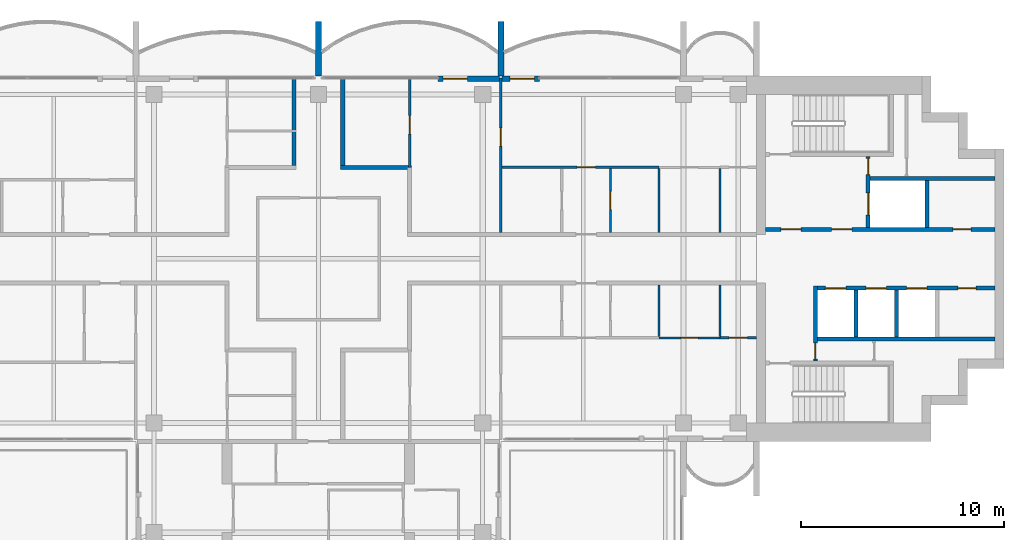
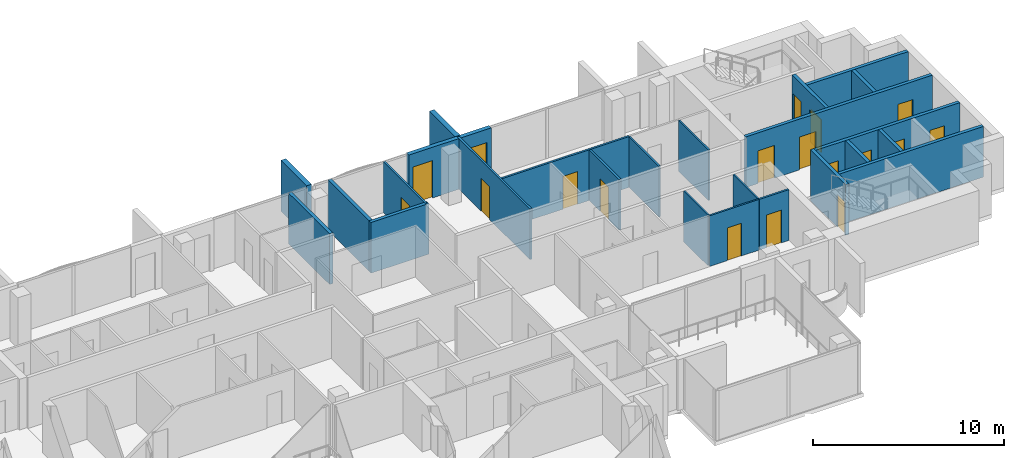
# One storey, part 11 of 16: 26 walls, 18 doors, 18 openings.
"""IFC4 building model written with IfcOpenShell, lengths in metres."""

from ifc_helpers import new_model, si_unit, direction, frame, frame_2d, origin, place, context, subcontext, project, spatial, rectangle, extrude, material, layer, layer_set, type_object, element, fill, save


model = new_model("IFC4")

# Units and contexts
model_context = context("Model", 3, precision=1e-05, world=origin(), true_north=direction((0.0, 1.0)))
body_context = subcontext(model_context, "Body", "Model", "MODEL_VIEW")
ifc_project = project(units=[si_unit("LENGTHUNIT", "METRE"), si_unit("AREAUNIT", "SQUARE_METRE"), si_unit("VOLUMEUNIT", "CUBIC_METRE"), si_unit("PLANEANGLEUNIT", "RADIAN"), si_unit("MASSUNIT", "GRAM", prefix="KILO")], contexts=[model_context])

# Site, building, storey
site_placement = place(None, origin())
site = spatial("IfcSite", under=ifc_project, at=site_placement, CompositionType="ELEMENT")
building_placement = place(site_placement, origin())
building = spatial("IfcBuilding", under=site, at=building_placement, Name="Perihelion Cross Residences", CompositionType="ELEMENT")
storey_placement = place(building_placement, frame((0.0, 0.0, 243.0)))
storey = spatial("IfcBuildingStorey", under=building, at=storey_placement, Name="L61", CompositionType="ELEMENT", Elevation=243.0)

# Walls
ifc_material_1 = material(Name="Plasterboard partition")
ifc_layer_1 = layer(ifc_material_1, 0.199951171875)
ifc_layer_set_1 = layer_set([ifc_layer_1], Name="Apartment separation wall 200")
wall_type_1 = type_object("IfcWallType", Name="Apartment separation wall 200", PredefinedType="PARTITIONING", material=ifc_layer_set_1)
wall_1_placement = place(storey_placement, frame((1.199951171875, 8.919921875, 0.0), z_axis=(0.0, 0.0, 1.0), x_axis=(0.0, -1.0, 0.0)))
element("IfcWall", 1, at=wall_1_placement, inside=storey, type_object=wall_type_1, Name="Partition L61 W007", PredefinedType="PARTITIONING", context=body_context, shape_type="SweptSolid", body=[
    extrude(rectangle(XDim=4.31982421875, YDim=0.199951171875, at=frame_2d((2.159912109375, 0.0))), origin(), (0.0, 0.0, 1.0), 3.25),
])
wall_2_placement = place(storey_placement, frame((1.10009765625, 4.5, 0.0), z_axis=(0.0, 0.0, 1.0), x_axis=(1.0, 0.0, 0.0)))
element("IfcWall", 2, at=wall_2_placement, inside=storey, type_object=wall_type_1, Name="Partition L61 W008", PredefinedType="PARTITIONING", context=body_context, shape_type="SweptSolid", body=[
    extrude(rectangle(XDim=3.5, YDim=0.199951171875, at=frame_2d((1.75, 0.0))), origin(), (0.0, 0.0, 1.0), 3.25),
])
wall_3_placement = place(storey_placement, frame((-1.199951171875, 4.60009765625, 0.0), z_axis=(0.0, 0.0, 1.0), x_axis=(0.0, 1.0, 0.0)))
element("IfcWall", 3, at=wall_3_placement, inside=storey, type_object=wall_type_1, Name="Partition L61 W016", PredefinedType="PARTITIONING", context=body_context, shape_type="SweptSolid", body=[
    extrude(rectangle(XDim=4.31982421875, YDim=0.199951171875, at=frame_2d((2.159912109375, 0.0))), origin(), (0.0, 0.0, 1.0), 3.25),
])

# Wall, opening, door
ifc_material_2 = material(Name="Concrete C30/37, bronze-clad", Category="concrete")
ifc_layer_2 = layer(ifc_material_2, 0.25)
ifc_layer_set_2 = layer_set([ifc_layer_2], Name="Bronze-clad pier wall 250")
wall_type_2 = type_object("IfcWallType", Name="Bronze-clad pier wall 250", PredefinedType="SOLIDWALL", material=ifc_layer_set_2)
wall_4_placement = place(storey_placement, frame((10.89990234375, 8.875, 0.0), z_axis=(0.0, 0.0, 1.0), x_axis=(-1.0, 0.0, 0.0)))
wall_4 = element("IfcWall", 4, at=wall_4_placement, inside=storey, type_object=wall_type_2, Name="Wall FW1 L61 east side north bay 2 pier", PredefinedType="SOLIDWALL", context=body_context, shape_type="SweptSolid", body=[
    extrude(rectangle(XDim=1.83984375, YDim=0.25, at=frame_2d((0.919921875, 0.0))), origin(), (0.0, 0.0, 1.0), 3.25),
])
opening_1_placement = place(wall_4_placement, frame((0.25, 0.0, 0.0)))
opening_1 = element("IfcOpeningElement", 5, at=opening_1_placement, cuts=wall_4, Name="Opening L61.E02", PredefinedType="OPENING", context=body_context, shape_type="SweptSolid", body=[
    extrude(rectangle(XDim=1.199951171875, YDim=2.39990234375, at=frame_2d((0.60009765625, 1.199951171875))), frame((0.0, 0.135009765625, 0.0), z_axis=(0.0, -1.0, 0.0), x_axis=(1.0, 0.0, 0.0)), (0.0, 0.0, 1.0), 0.27001953125),
])
ifc_material_3 = material(Name="Bronze anodised aluminium, glazed", Category="aluminium")
door_type_1 = type_object("IfcDoorType", Name="Balcony door 1200 x 2400", OperationType="NOTDEFINED", PredefinedType="DOOR", material=ifc_material_3)
door_1_placement = place(opening_1_placement, origin())
door_1 = element("IfcDoor", 6, at=door_1_placement, inside=storey, type_object=door_type_1, Name="Door L61.E02 east side north bay 2", OperationType="SINGLE_SWING_RIGHT", OverallHeight=2.39990234375, OverallWidth=1.199951171875, PredefinedType="DOOR", context=body_context, shape_type="SweptSolid", body=[
    extrude(rectangle(XDim=1.199951171875, YDim=2.39990234375, at=frame_2d((0.60009765625, 1.199951171875))), frame((0.0, 0.02490234375, 0.0), z_axis=(0.0, -1.0, 0.0), x_axis=(1.0, 0.0, 0.0)), (0.0, 0.0, 1.0), 0.050048828125),
])
fill(opening_1, door_1)

wall_5_placement = place(storey_placement, frame((8.93994140625, 8.875, 0.0), z_axis=(0.0, 0.0, 1.0), x_axis=(-1.0, 0.0, 0.0)))
wall_5 = element("IfcWall", 7, at=wall_5_placement, inside=storey, type_object=wall_type_2, Name="Wall FW1 L61 north side east bay 1 pier", PredefinedType="SOLIDWALL", context=body_context, shape_type="SweptSolid", body=[
    extrude(rectangle(XDim=3.0400390625, YDim=0.25, at=frame_2d((1.52001953125, 0.0))), origin(), (0.0, 0.0, 1.0), 3.25),
])
opening_2_placement = place(wall_5_placement, frame((1.590087890625, 0.0, 0.0)))
opening_2 = element("IfcOpeningElement", 8, at=opening_2_placement, cuts=wall_5, Name="Opening L61.E03", PredefinedType="OPENING", context=body_context, shape_type="SweptSolid", body=[
    extrude(rectangle(XDim=1.199951171875, YDim=2.39990234375, at=frame_2d((0.60009765625, 1.199951171875))), frame((0.0, 0.135009765625, 0.0), z_axis=(0.0, -1.0, 0.0), x_axis=(1.0, 0.0, 0.0)), (0.0, 0.0, 1.0), 0.27001953125),
])
door_2_placement = place(opening_2_placement, origin())
door_2 = element("IfcDoor", 9, at=door_2_placement, inside=storey, type_object=door_type_1, Name="Door L61.E03 north side east bay 1", OperationType="SINGLE_SWING_LEFT", OverallHeight=2.39990234375, OverallWidth=1.199951171875, PredefinedType="DOOR", context=body_context, shape_type="SweptSolid", body=[
    extrude(rectangle(XDim=1.199951171875, YDim=2.39990234375, at=frame_2d((0.60009765625, 1.199951171875))), frame((0.0, 0.02490234375, 0.0), z_axis=(0.0, -1.0, 0.0), x_axis=(1.0, 0.0, 0.0)), (0.0, 0.0, 1.0), 0.050048828125),
])
fill(opening_2, door_2)

ifc_material_4 = material(Name="Concrete C50/60", Category="concrete")
ifc_layer_3 = layer(ifc_material_4, 0.199951171875)
ifc_layer_set_3 = layer_set([ifc_layer_3], Name="Lobby wall 200")
wall_type_3 = type_object("IfcWallType", Name="Lobby wall 200", PredefinedType="SOLIDWALL", material=ifc_layer_set_3)
wall_6_placement = place(storey_placement, frame((24.5, -5.050048828125, 0.0), z_axis=(0.0, 0.0, 1.0), x_axis=(0.0, 1.0, 0.0)))
wall_6 = element("IfcWall", 10, at=wall_6_placement, inside=storey, type_object=wall_type_3, Name="East core lobby wall", PredefinedType="SOLIDWALL", context=body_context, shape_type="SweptSolid", body=[
    extrude(rectangle(XDim=3.699951171875, YDim=0.199951171875, at=frame_2d((1.85009765625, 0.0))), origin(), (0.0, 0.0, 1.0), 3.25),
])
opening_3_placement = place(wall_6_placement, frame((0.10009765625, 0.0, 0.0)))
opening_3 = element("IfcOpeningElement", 11, at=opening_3_placement, cuts=wall_6, Name="Opening L61.C08", PredefinedType="OPENING", context=body_context, shape_type="SweptSolid", body=[
    extrude(rectangle(XDim=0.800048828125, YDim=2.10009765625, at=frame_2d((0.39990234375, 1.050048828125))), frame((0.0, 0.10986328125, 0.0), z_axis=(0.0, -1.0, 0.0), x_axis=(1.0, 0.0, 0.0)), (0.0, 0.0, 1.0), 0.219970703125),
])
ifc_material_5 = material(Name="Steel, powder coated", Category="steel")
door_type_2 = type_object("IfcDoorType", Name="Riser door 800", OperationType="SINGLE_SWING_LEFT", PredefinedType="DOOR", material=ifc_material_5)
door_3_placement = place(opening_3_placement, origin())
door_3 = element("IfcDoor", 12, at=door_3_placement, inside=storey, type_object=door_type_2, Name="East core riser door", OperationType="SINGLE_SWING_LEFT", OverallHeight=2.10009765625, OverallWidth=0.800048828125, PredefinedType="DOOR", context=body_context, shape_type="SweptSolid", body=[
    extrude(rectangle(XDim=0.800048828125, YDim=2.10009765625, at=frame_2d((0.39990234375, 1.050048828125))), frame((0.0, 0.02490234375, 0.0), z_axis=(0.0, -1.0, 0.0), x_axis=(1.0, 0.0, 0.0)), (0.0, 0.0, 1.0), 0.050048828125),
])
fill(opening_3, door_3)

ifc_material_6 = material(Name="Plasterboard partition")
ifc_layer_4 = layer(ifc_material_6, 0.1201171875)
ifc_layer_set_4 = layer_set([ifc_layer_4], Name="Partition wall 120")
wall_type_4 = type_object("IfcWallType", Name="Partition wall 120", PredefinedType="PARTITIONING", material=ifc_layer_set_4)
wall_7_placement = place(storey_placement, frame((8.93994140625, 4.5, 0.0), z_axis=(0.0, 0.0, 1.0), x_axis=(1.0, 0.0, 0.0)))
wall_7 = element("IfcWall", 13, at=wall_7_placement, inside=storey, type_object=wall_type_4, Name="Partition L61 W023", PredefinedType="PARTITIONING", context=body_context, shape_type="SweptSolid", body=[
    extrude(rectangle(XDim=7.860107421875, YDim=0.1201171875, at=frame_2d((3.93017578125, 0.0))), origin(), (0.0, 0.0, 1.0), 3.25),
])
opening_4_placement = place(wall_7_placement, frame((3.81005859375, 0.0, 0.0)))
opening_4 = element("IfcOpeningElement", 14, at=opening_4_placement, cuts=wall_7, Name="Opening L61.A06", PredefinedType="OPENING", context=body_context, shape_type="SweptSolid", body=[
    extrude(rectangle(XDim=0.89990234375, YDim=2.10009765625, at=frame_2d((0.449951171875, 1.050048828125))), frame((0.0, 0.070068359375, 0.0), z_axis=(0.0, -1.0, 0.0), x_axis=(1.0, 0.0, 0.0)), (0.0, 0.0, 1.0), 0.14013671875),
])
ifc_material_7 = material(Name="Timber door leaf", Category="wood")
door_type_3 = type_object("IfcDoorType", Name="Interior room door 900 x 2100", OperationType="SINGLE_SWING_LEFT", PredefinedType="DOOR", material=ifc_material_7)
door_4_placement = place(opening_4_placement, origin())
door_4 = element("IfcDoor", 15, at=door_4_placement, inside=storey, type_object=door_type_3, Name="Door L61.A06", OperationType="SINGLE_SWING_RIGHT", OverallHeight=2.10009765625, OverallWidth=0.89990234375, PredefinedType="DOOR", context=body_context, shape_type="SweptSolid", body=[
    extrude(rectangle(XDim=0.89990234375, YDim=2.10009765625, at=frame_2d((0.449951171875, 1.050048828125))), frame((0.0, 0.02490234375, 0.0), z_axis=(0.0, -1.0, 0.0), x_axis=(1.0, 0.0, 0.0)), (0.0, 0.0, 1.0), 0.050048828125),
])
fill(opening_4, door_4)

wall_8_placement = place(storey_placement, frame((9.0, 1.300048828125, 0.0), z_axis=(0.0, 0.0, 1.0), x_axis=(0.0, 1.0, 0.0)))
wall_8 = element("IfcWall", 16, at=wall_8_placement, inside=storey, type_object=wall_type_4, Name="Partition L61 W024", PredefinedType="PARTITIONING", context=body_context, shape_type="SweptSolid", body=[
    extrude(rectangle(XDim=7.619873046875, YDim=0.1201171875, at=frame_2d((3.81005859375, 0.0))), origin(), (0.0, 0.0, 1.0), 3.25),
])
opening_5_placement = place(wall_8_placement, frame((4.25, 0.0, 0.0)))
opening_5 = element("IfcOpeningElement", 17, at=opening_5_placement, cuts=wall_8, Name="Opening L61.A07", PredefinedType="OPENING", context=body_context, shape_type="SweptSolid", body=[
    extrude(rectangle(XDim=0.89990234375, YDim=2.10009765625, at=frame_2d((0.449951171875, 1.050048828125))), frame((0.0, 0.070068359375, 0.0), z_axis=(0.0, -1.0, 0.0), x_axis=(1.0, 0.0, 0.0)), (0.0, 0.0, 1.0), 0.14013671875),
])
door_5_placement = place(opening_5_placement, origin())
door_5 = element("IfcDoor", 18, at=door_5_placement, inside=storey, type_object=door_type_3, Name="Door L61.A07", OperationType="SINGLE_SWING_LEFT", OverallHeight=2.10009765625, OverallWidth=0.89990234375, PredefinedType="DOOR", context=body_context, shape_type="SweptSolid", body=[
    extrude(rectangle(XDim=0.89990234375, YDim=2.10009765625, at=frame_2d((0.449951171875, 1.050048828125))), frame((0.0, 0.02490234375, 0.0), z_axis=(0.0, -1.0, 0.0), x_axis=(1.0, 0.0, 0.0)), (0.0, 0.0, 1.0), 0.050048828125),
])
fill(opening_5, door_5)

wall_9_placement = place(storey_placement, frame((14.39990234375, 4.43994140625, 0.0), z_axis=(0.0, 0.0, 1.0), x_axis=(0.0, -1.0, 0.0)))
wall_9 = element("IfcWall", 19, at=wall_9_placement, inside=storey, type_object=wall_type_4, Name="Partition L61 W025", PredefinedType="PARTITIONING", context=body_context, shape_type="SweptSolid", body=[
    extrude(rectangle(XDim=3.139892578125, YDim=0.1201171875, at=frame_2d((1.56982421875, 0.0))), origin(), (0.0, 0.0, 1.0), 3.25),
])
opening_6_placement = place(wall_9_placement, frame((1.1201171875, 0.0, 0.0)))
opening_6 = element("IfcOpeningElement", 20, at=opening_6_placement, cuts=wall_9, Name="Opening L61.A08", PredefinedType="OPENING", context=body_context, shape_type="SweptSolid", body=[
    extrude(rectangle(XDim=0.89990234375, YDim=2.10009765625, at=frame_2d((0.449951171875, 1.050048828125))), frame((0.0, 0.070068359375, 0.0), z_axis=(0.0, -1.0, 0.0), x_axis=(1.0, 0.0, 0.0)), (0.0, 0.0, 1.0), 0.14013671875),
])
door_6_placement = place(opening_6_placement, origin())
door_6 = element("IfcDoor", 21, at=door_6_placement, inside=storey, type_object=door_type_3, Name="Door L61.A08", OperationType="SINGLE_SWING_LEFT", OverallHeight=2.10009765625, OverallWidth=0.89990234375, PredefinedType="DOOR", context=body_context, shape_type="SweptSolid", body=[
    extrude(rectangle(XDim=0.89990234375, YDim=2.10009765625, at=frame_2d((0.449951171875, 1.050048828125))), frame((0.0, 0.02490234375, 0.0), z_axis=(0.0, -1.0, 0.0), x_axis=(1.0, 0.0, 0.0)), (0.0, 0.0, 1.0), 0.050048828125),
])
fill(opening_6, door_6)

wall_10_placement = place(storey_placement, frame((4.5, 4.5, 0.0), z_axis=(0.0, 0.0, 1.0), x_axis=(0.0, 1.0, 0.0)))
wall_10 = element("IfcWall", 22, at=wall_10_placement, inside=storey, type_object=wall_type_4, Name="Partition L61 W030", PredefinedType="PARTITIONING", context=body_context, shape_type="SweptSolid", body=[
    extrude(rectangle(XDim=4.419921875, YDim=0.1201171875, at=frame_2d((2.2099609375, 0.0))), origin(), (0.0, 0.0, 1.0), 3.25),
])
opening_7_placement = place(wall_10_placement, frame((1.64990234375, 0.0, 0.0)))
opening_7 = element("IfcOpeningElement", 23, at=opening_7_placement, cuts=wall_10, Name="Opening L61.A03", PredefinedType="OPENING", context=body_context, shape_type="SweptSolid", body=[
    extrude(rectangle(XDim=0.89990234375, YDim=2.10009765625, at=frame_2d((0.449951171875, 1.050048828125))), frame((0.0, 0.070068359375, 0.0), z_axis=(0.0, -1.0, 0.0), x_axis=(1.0, 0.0, 0.0)), (0.0, 0.0, 1.0), 0.14013671875),
])
door_7_placement = place(opening_7_placement, origin())
door_7 = element("IfcDoor", 24, at=door_7_placement, inside=storey, type_object=door_type_3, Name="Door L61.A03", OperationType="SINGLE_SWING_LEFT", OverallHeight=2.10009765625, OverallWidth=0.89990234375, PredefinedType="DOOR", context=body_context, shape_type="SweptSolid", body=[
    extrude(rectangle(XDim=0.89990234375, YDim=2.10009765625, at=frame_2d((0.449951171875, 1.050048828125))), frame((0.0, 0.02490234375, 0.0), z_axis=(0.0, -1.0, 0.0), x_axis=(1.0, 0.0, 0.0)), (0.0, 0.0, 1.0), 0.050048828125),
])
fill(opening_7, door_7)

wall_11_placement = place(storey_placement, frame((21.60009765625, -3.89990234375, 0.0), z_axis=(0.0, 0.0, 1.0), x_axis=(-1.0, 0.0, 0.0)))
wall_11 = element("IfcWall", 25, at=wall_11_placement, inside=storey, type_object=wall_type_4, Name="Partition L61 W038", PredefinedType="PARTITIONING", context=body_context, shape_type="SweptSolid", body=[
    extrude(rectangle(XDim=1.800048828125, YDim=0.1201171875, at=frame_2d((0.89990234375, 0.0))), origin(), (0.0, 0.0, 1.0), 3.25),
])
opening_8_placement = place(wall_11_placement, frame((0.449951171875, 0.0, 0.0)))
opening_8 = element("IfcOpeningElement", 26, at=opening_8_placement, cuts=wall_11, Name="Opening L61.A12", PredefinedType="OPENING", context=body_context, shape_type="SweptSolid", body=[
    extrude(rectangle(XDim=0.89990234375, YDim=2.10009765625, at=frame_2d((0.449951171875, 1.050048828125))), frame((0.0, 0.070068359375, 0.0), z_axis=(0.0, -1.0, 0.0), x_axis=(1.0, 0.0, 0.0)), (0.0, 0.0, 1.0), 0.14013671875),
])
door_8_placement = place(opening_8_placement, origin())
door_8 = element("IfcDoor", 27, at=door_8_placement, inside=storey, type_object=door_type_3, Name="Door L61.A12", OperationType="SINGLE_SWING_LEFT", OverallHeight=2.10009765625, OverallWidth=0.89990234375, PredefinedType="DOOR", context=body_context, shape_type="SweptSolid", body=[
    extrude(rectangle(XDim=0.89990234375, YDim=2.10009765625, at=frame_2d((0.449951171875, 1.050048828125))), frame((0.0, 0.02490234375, 0.0), z_axis=(0.0, -1.0, 0.0), x_axis=(1.0, 0.0, 0.0)), (0.0, 0.0, 1.0), 0.050048828125),
])
fill(opening_8, door_8)

# Walls
ifc_material_8 = material(Name="Precast concrete C50/60", Category="concrete")
ifc_layer_5 = layer(ifc_material_8, 0.300048828125)
ifc_layer_set_5 = layer_set([ifc_layer_5], Name="Precast concrete C50/60 blade wall 300")
wall_type_5 = type_object("IfcWallType", Name="Precast concrete C50/60 blade wall 300", PredefinedType="SOLIDWALL", material=ifc_layer_set_5)
for number, where, z_axis, x_axis, name in (
    (28, (0.0, 9.0, 0.0), (0.0, 0.0, 1.0), (0.0, 1.0, 0.0), "Wall BL1 L61 no. 9"),
    (29, (9.0, 9.0, 0.0), (0.0, 0.0, 1.0), (0.0, 1.0, 0.0), "Wall BL1 L61 no. 16"),
):
    element("IfcWall", number, at=place(storey_placement, frame(where, z_axis=z_axis, x_axis=x_axis)), inside=storey, type_object=wall_type_5, Name=name, PredefinedType="SOLIDWALL", context=body_context, shape_type="SweptSolid", body=[
        extrude(rectangle(XDim=2.699951171875, YDim=0.300048828125, at=frame_2d((1.35009765625, 0.0))), origin(), (0.0, 0.0, 1.0), 3.25),
    ])

# Wall, openings, doors
ifc_material_9 = material(Name="Concrete C50/60", Category="concrete")
ifc_layer_6 = layer(ifc_material_9, 0.199951171875)
ifc_layer_set_6 = layer_set([ifc_layer_6], Name="Shaft wall 200")
wall_type_6 = type_object("IfcWallType", Name="Shaft wall 200", PredefinedType="SOLIDWALL", material=ifc_layer_set_6)
wall_12_placement = place(storey_placement, frame((22.050048828125, 1.449951171875, 0.0), z_axis=(0.0, 0.0, 1.0), x_axis=(1.0, 0.0, 0.0)))
wall_12 = element("IfcWall", 30, at=wall_12_placement, inside=storey, type_object=wall_type_6, Name="East core shaft wall", PredefinedType="SOLIDWALL", context=body_context, shape_type="SweptSolid", body=[
    extrude(rectangle(XDim=11.300048828125, YDim=0.199951171875, at=frame_2d((5.64990234375, 0.0))), origin(), (0.0, 0.0, 1.0), 3.25),
])
opening_9_placement = place(wall_12_placement, frame((0.75, 0.0, 0.0)))
opening_9 = element("IfcOpeningElement", 31, at=opening_9_placement, cuts=wall_12, Name="Opening L61.C07", PredefinedType="OPENING", context=body_context, shape_type="SweptSolid", body=[
    extrude(rectangle(XDim=1.0, YDim=2.10009765625, at=frame_2d((0.5, 1.050048828125))), frame((0.0, 0.10986328125, 0.0), z_axis=(0.0, -1.0, 0.0), x_axis=(1.0, 0.0, 0.0)), (0.0, 0.0, 1.0), 0.219970703125),
])
opening_10_placement = place(wall_12_placement, frame((3.25, 0.0, 0.0)))
opening_10 = element("IfcOpeningElement", 32, at=opening_10_placement, cuts=wall_12, Name="Opening L61.C09", PredefinedType="OPENING", context=body_context, shape_type="SweptSolid", body=[
    extrude(rectangle(XDim=1.0, YDim=2.10009765625, at=frame_2d((0.5, 1.050048828125))), frame((0.0, 0.10986328125, 0.0), z_axis=(0.0, -1.0, 0.0), x_axis=(1.0, 0.0, 0.0)), (0.0, 0.0, 1.0), 0.219970703125),
])
opening_11_placement = place(wall_12_placement, frame((9.22509765625, 0.0, 0.0)))
opening_11 = element("IfcOpeningElement", 33, at=opening_11_placement, cuts=wall_12, Name="Opening L61.C13", PredefinedType="OPENING", context=body_context, shape_type="SweptSolid", body=[
    extrude(rectangle(XDim=0.89990234375, YDim=2.10009765625, at=frame_2d((0.449951171875, 1.050048828125))), frame((0.0, 0.10986328125, 0.0), z_axis=(0.0, -1.0, 0.0), x_axis=(1.0, 0.0, 0.0)), (0.0, 0.0, 1.0), 0.219970703125),
])
ifc_material_10 = material(Name="Steel, powder coated", Category="steel")
door_type_4 = type_object("IfcDoorType", Name="Lobby door 1000", OperationType="SINGLE_SWING_LEFT", PredefinedType="DOOR", material=ifc_material_10)
door_9_placement = place(opening_9_placement, origin())
door_9 = element("IfcDoor", 34, at=door_9_placement, inside=storey, type_object=door_type_4, Name="East core firefighting lobby door", OperationType="SINGLE_SWING_LEFT", OverallHeight=2.10009765625, OverallWidth=1.0, PredefinedType="DOOR", context=body_context, shape_type="SweptSolid", body=[
    extrude(rectangle(XDim=1.0, YDim=2.10009765625, at=frame_2d((0.5, 1.050048828125))), frame((0.0, 0.02490234375, 0.0), z_axis=(0.0, -1.0, 0.0), x_axis=(1.0, 0.0, 0.0)), (0.0, 0.0, 1.0), 0.050048828125),
])
fill(opening_9, door_9)
door_10_placement = place(opening_10_placement, origin())
door_10 = element("IfcDoor", 35, at=door_10_placement, inside=storey, type_object=door_type_4, Name="East core firefighting lobby door", OperationType="SINGLE_SWING_LEFT", OverallHeight=2.10009765625, OverallWidth=1.0, PredefinedType="DOOR", context=body_context, shape_type="SweptSolid", body=[
    extrude(rectangle(XDim=1.0, YDim=2.10009765625, at=frame_2d((0.5, 1.050048828125))), frame((0.0, 0.02490234375, 0.0), z_axis=(0.0, -1.0, 0.0), x_axis=(1.0, 0.0, 0.0)), (0.0, 0.0, 1.0), 0.050048828125),
])
fill(opening_10, door_10)
ifc_material_11 = material(Name="Steel, powder coated", Category="steel")
door_type_5 = type_object("IfcDoorType", Name="Service room door 900", OperationType="SINGLE_SWING_LEFT", PredefinedType="DOOR", material=ifc_material_11)
door_11_placement = place(opening_11_placement, origin())
door_11 = element("IfcDoor", 36, at=door_11_placement, inside=storey, type_object=door_type_5, Name="East core service room door", OperationType="SINGLE_SWING_LEFT", OverallHeight=2.10009765625, OverallWidth=0.89990234375, PredefinedType="DOOR", context=body_context, shape_type="SweptSolid", body=[
    extrude(rectangle(XDim=0.89990234375, YDim=2.10009765625, at=frame_2d((0.449951171875, 1.050048828125))), frame((0.0, 0.02490234375, 0.0), z_axis=(0.0, -1.0, 0.0), x_axis=(1.0, 0.0, 0.0)), (0.0, 0.0, 1.0), 0.050048828125),
])
fill(opening_11, door_11)

wall_13_placement = place(storey_placement, frame((24.60009765625, -1.449951171875, 0.0), z_axis=(0.0, 0.0, 1.0), x_axis=(1.0, 0.0, 0.0)))
wall_13 = element("IfcWall", 37, at=wall_13_placement, inside=storey, type_object=wall_type_6, Name="East core shaft wall", PredefinedType="SOLIDWALL", context=body_context, shape_type="SweptSolid", body=[
    extrude(rectangle(XDim=8.75, YDim=0.199951171875, at=frame_2d((4.375, 0.0))), origin(), (0.0, 0.0, 1.0), 3.25),
])
opening_12_placement = place(wall_13_placement, frame((0.39990234375, 0.0, 0.0)))
opening_12 = element("IfcOpeningElement", 38, at=opening_12_placement, cuts=wall_13, Name="Opening L61.C01", PredefinedType="OPENING", context=body_context, shape_type="SweptSolid", body=[
    extrude(rectangle(XDim=1.0, YDim=2.10009765625, at=frame_2d((0.5, 1.050048828125))), frame((0.0, 0.10986328125, 0.0), z_axis=(0.0, -1.0, 0.0), x_axis=(1.0, 0.0, 0.0)), (0.0, 0.0, 1.0), 0.219970703125),
])
opening_13_placement = place(wall_13_placement, frame((2.39990234375, 0.0, 0.0)))
opening_13 = element("IfcOpeningElement", 39, at=opening_13_placement, cuts=wall_13, Name="Opening L61.C03", PredefinedType="OPENING", context=body_context, shape_type="SweptSolid", body=[
    extrude(rectangle(XDim=1.0, YDim=2.10009765625, at=frame_2d((0.5, 1.050048828125))), frame((0.0, 0.10986328125, 0.0), z_axis=(0.0, -1.0, 0.0), x_axis=(1.0, 0.0, 0.0)), (0.0, 0.0, 1.0), 0.219970703125),
])
opening_14_placement = place(wall_13_placement, frame((4.39990234375, 0.0, 0.0)))
opening_14 = element("IfcOpeningElement", 40, at=opening_14_placement, cuts=wall_13, Name="Opening L61.C04", PredefinedType="OPENING", context=body_context, shape_type="SweptSolid", body=[
    extrude(rectangle(XDim=1.0, YDim=2.10009765625, at=frame_2d((0.5, 1.050048828125))), frame((0.0, 0.10986328125, 0.0), z_axis=(0.0, -1.0, 0.0), x_axis=(1.0, 0.0, 0.0)), (0.0, 0.0, 1.0), 0.219970703125),
])
opening_15_placement = place(wall_13_placement, frame((6.925048828125, 0.0, 0.0)))
opening_15 = element("IfcOpeningElement", 41, at=opening_15_placement, cuts=wall_13, Name="Opening L61.C14", PredefinedType="OPENING", context=body_context, shape_type="SweptSolid", body=[
    extrude(rectangle(XDim=0.89990234375, YDim=2.10009765625, at=frame_2d((0.449951171875, 1.050048828125))), frame((0.0, 0.10986328125, 0.0), z_axis=(0.0, -1.0, 0.0), x_axis=(1.0, 0.0, 0.0)), (0.0, 0.0, 1.0), 0.219970703125),
])
ifc_material_12 = material(Name="Stainless steel", Category="steel")
door_type_6 = type_object("IfcDoorType", Name="Landing door 1000", OperationType="DOUBLE_DOOR_SLIDING", PredefinedType="DOOR", material=ifc_material_12)
door_12_placement = place(opening_12_placement, origin())
door_12 = element("IfcDoor", 42, at=door_12_placement, inside=storey, type_object=door_type_6, Name="Landing door, East core high-rise lift 1", OperationType="DOUBLE_DOOR_SLIDING", OverallHeight=2.10009765625, OverallWidth=1.0, PredefinedType="DOOR", context=body_context, shape_type="SweptSolid", body=[
    extrude(rectangle(XDim=1.0, YDim=2.10009765625, at=frame_2d((0.5, 1.050048828125))), frame((0.0, 0.02490234375, 0.0), z_axis=(0.0, -1.0, 0.0), x_axis=(1.0, 0.0, 0.0)), (0.0, 0.0, 1.0), 0.050048828125),
])
fill(opening_12, door_12)
door_13_placement = place(opening_13_placement, origin())
door_13 = element("IfcDoor", 43, at=door_13_placement, inside=storey, type_object=door_type_6, Name="Landing door, East core high-rise lift 2", OperationType="DOUBLE_DOOR_SLIDING", OverallHeight=2.10009765625, OverallWidth=1.0, PredefinedType="DOOR", context=body_context, shape_type="SweptSolid", body=[
    extrude(rectangle(XDim=1.0, YDim=2.10009765625, at=frame_2d((0.5, 1.050048828125))), frame((0.0, 0.02490234375, 0.0), z_axis=(0.0, -1.0, 0.0), x_axis=(1.0, 0.0, 0.0)), (0.0, 0.0, 1.0), 0.050048828125),
])
fill(opening_13, door_13)
door_14_placement = place(opening_14_placement, origin())
door_14 = element("IfcDoor", 44, at=door_14_placement, inside=storey, type_object=door_type_6, Name="Landing door, East core high-rise lift 3", OperationType="DOUBLE_DOOR_SLIDING", OverallHeight=2.10009765625, OverallWidth=1.0, PredefinedType="DOOR", context=body_context, shape_type="SweptSolid", body=[
    extrude(rectangle(XDim=1.0, YDim=2.10009765625, at=frame_2d((0.5, 1.050048828125))), frame((0.0, 0.02490234375, 0.0), z_axis=(0.0, -1.0, 0.0), x_axis=(1.0, 0.0, 0.0)), (0.0, 0.0, 1.0), 0.050048828125),
])
fill(opening_14, door_14)
door_15_placement = place(opening_15_placement, origin())
door_15 = element("IfcDoor", 45, at=door_15_placement, inside=storey, type_object=door_type_5, Name="East core service room door", OperationType="SINGLE_SWING_LEFT", OverallHeight=2.10009765625, OverallWidth=0.89990234375, PredefinedType="DOOR", context=body_context, shape_type="SweptSolid", body=[
    extrude(rectangle(XDim=0.89990234375, YDim=2.10009765625, at=frame_2d((0.449951171875, 1.050048828125))), frame((0.0, 0.02490234375, 0.0), z_axis=(0.0, -1.0, 0.0), x_axis=(1.0, 0.0, 0.0)), (0.0, 0.0, 1.0), 0.050048828125),
])
fill(opening_15, door_15)

# Walls
wall_14_placement = place(storey_placement, frame((27.199951171875, 3.949951171875, 0.0), z_axis=(0.0, 0.0, 1.0), x_axis=(1.0, 0.0, 0.0)))
element("IfcWall", 46, at=wall_14_placement, inside=storey, type_object=wall_type_6, Name="East core shaft wall", PredefinedType="SOLIDWALL", context=body_context, shape_type="SweptSolid", body=[
    extrude(rectangle(XDim=6.150146484375, YDim=0.199951171875, at=frame_2d((3.0751953125, 0.0))), origin(), (0.0, 0.0, 1.0), 3.25),
])
wall_15_placement = place(storey_placement, frame((24.60009765625, -3.949951171875, 0.0), z_axis=(0.0, 0.0, 1.0), x_axis=(1.0, 0.0, 0.0)))
element("IfcWall", 47, at=wall_15_placement, inside=storey, type_object=wall_type_6, Name="East core shaft wall", PredefinedType="SOLIDWALL", context=body_context, shape_type="SweptSolid", body=[
    extrude(rectangle(XDim=8.75, YDim=0.199951171875, at=frame_2d((4.375, 0.0))), origin(), (0.0, 0.0, 1.0), 3.25),
])

# Wall, openings, doors
wall_16_placement = place(storey_placement, frame((27.10009765625, 1.550048828125, 0.0), z_axis=(0.0, 0.0, 1.0), x_axis=(0.0, 1.0, 0.0)))
wall_16 = element("IfcWall", 48, at=wall_16_placement, inside=storey, type_object=wall_type_6, Name="East core shaft wall", PredefinedType="SOLIDWALL", context=body_context, shape_type="SweptSolid", body=[
    extrude(rectangle(XDim=3.5, YDim=0.199951171875, at=frame_2d((1.75, 0.0))), origin(), (0.0, 0.0, 1.0), 3.25),
])
opening_16_placement = place(wall_16_placement, frame((0.60009765625, 0.0, 0.0)))
opening_16 = element("IfcOpeningElement", 49, at=opening_16_placement, cuts=wall_16, Name="Opening L61.C02", PredefinedType="OPENING", context=body_context, shape_type="SweptSolid", body=[
    extrude(rectangle(XDim=1.10009765625, YDim=2.10009765625, at=frame_2d((0.550048828125, 1.050048828125))), frame((0.0, 0.10986328125, 0.0), z_axis=(0.0, -1.0, 0.0), x_axis=(1.0, 0.0, 0.0)), (0.0, 0.0, 1.0), 0.219970703125),
])
opening_17_placement = place(wall_16_placement, frame((2.60009765625, 0.0, 0.0)))
opening_17 = element("IfcOpeningElement", 50, at=opening_17_placement, cuts=wall_16, Name="Opening L61.C10", PredefinedType="OPENING", context=body_context, shape_type="SweptSolid", body=[
    extrude(rectangle(XDim=0.800048828125, YDim=2.10009765625, at=frame_2d((0.39990234375, 1.050048828125))), frame((0.0, 0.10986328125, 0.0), z_axis=(0.0, -1.0, 0.0), x_axis=(1.0, 0.0, 0.0)), (0.0, 0.0, 1.0), 0.219970703125),
])
ifc_material_13 = material(Name="Stainless steel", Category="steel")
door_type_7 = type_object("IfcDoorType", Name="Landing door, firefighting lift 1100", OperationType="DOUBLE_DOOR_SLIDING", PredefinedType="DOOR", material=ifc_material_13)
door_16_placement = place(opening_16_placement, origin())
door_16 = element("IfcDoor", 51, at=door_16_placement, inside=storey, type_object=door_type_7, Name="Landing door, East core firefighting and service lift", OperationType="DOUBLE_DOOR_SLIDING", OverallHeight=2.10009765625, OverallWidth=1.10009765625, PredefinedType="DOOR", context=body_context, shape_type="SweptSolid", body=[
    extrude(rectangle(XDim=1.10009765625, YDim=2.10009765625, at=frame_2d((0.550048828125, 1.050048828125))), frame((0.0, 0.02490234375, 0.0), z_axis=(0.0, -1.0, 0.0), x_axis=(1.0, 0.0, 0.0)), (0.0, 0.0, 1.0), 0.050048828125),
])
fill(opening_16, door_16)
door_17_placement = place(opening_17_placement, origin())
door_17 = element("IfcDoor", 52, at=door_17_placement, inside=storey, type_object=door_type_2, Name="East core riser door", OperationType="SINGLE_SWING_LEFT", OverallHeight=2.10009765625, OverallWidth=0.800048828125, PredefinedType="DOOR", context=body_context, shape_type="SweptSolid", body=[
    extrude(rectangle(XDim=0.800048828125, YDim=2.10009765625, at=frame_2d((0.39990234375, 1.050048828125))), frame((0.0, 0.02490234375, 0.0), z_axis=(0.0, -1.0, 0.0), x_axis=(1.0, 0.0, 0.0)), (0.0, 0.0, 1.0), 0.050048828125),
])
fill(opening_17, door_17)

# Walls
for number, where, z_axis, x_axis, name in (
    (53, (30.0, 1.550048828125, 0.0), (0.0, 0.0, 1.0), (0.0, 1.0, 0.0), "East core shaft wall"),
    (54, (26.5, -3.85009765625, 0.0), (0.0, 0.0, 1.0), (0.0, 1.0, 0.0), "East core shaft wall"),
    (55, (28.5, -3.85009765625, 0.0), (0.0, 0.0, 1.0), (0.0, 1.0, 0.0), "East core shaft wall"),
):
    element("IfcWall", number, at=place(storey_placement, frame(where, z_axis=z_axis, x_axis=x_axis)), inside=storey, type_object=wall_type_6, Name=name, PredefinedType="SOLIDWALL", context=body_context, shape_type="SweptSolid", body=[
        extrude(rectangle(XDim=2.300048828125, YDim=0.199951171875, at=frame_2d((1.14990234375, 0.0))), origin(), (0.0, 0.0, 1.0), 3.25),
    ])
ifc_material_14 = material(Name="Plasterboard partition")
ifc_layer_7 = layer(ifc_material_14, 0.10009765625)
ifc_layer_set_7 = layer_set([ifc_layer_7], Name="Wet room wall 100")
wall_type_7 = type_object("IfcWallType", Name="Wet room wall 100", PredefinedType="PARTITIONING", material=ifc_layer_set_7)
for number, where, z_axis, x_axis, name in (
    (56, (16.800048828125, 4.43994140625, 0.0), (0.0, 0.0, 1.0), (0.0, -1.0, 0.0), "Partition L61 W026"),
    (57, (19.800048828125, 4.43994140625, 0.0), (0.0, 0.0, 1.0), (0.0, -1.0, 0.0), "Partition L61 W027"),
):
    element("IfcWall", number, at=place(storey_placement, frame(where, z_axis=z_axis, x_axis=x_axis)), inside=storey, type_object=wall_type_7, Name=name, PredefinedType="PARTITIONING", context=body_context, shape_type="SweptSolid", body=[
        extrude(rectangle(XDim=3.139892578125, YDim=0.10009765625, at=frame_2d((1.56982421875, 0.0))), origin(), (0.0, 0.0, 1.0), 3.25),
    ])
for number, where, z_axis, x_axis, name in (
    (58, (16.800048828125, -1.300048828125, 0.0), (0.0, 0.0, 1.0), (0.0, -1.0, 0.0), "Partition L61 W035"),
    (59, (19.800048828125, -1.300048828125, 0.0), (0.0, 0.0, 1.0), (0.0, -1.0, 0.0), "Partition L61 W036"),
):
    element("IfcWall", number, at=place(storey_placement, frame(where, z_axis=z_axis, x_axis=x_axis)), inside=storey, type_object=wall_type_7, Name=name, PredefinedType="PARTITIONING", context=body_context, shape_type="SweptSolid", body=[
        extrude(rectangle(XDim=2.5400390625, YDim=0.10009765625, at=frame_2d((1.27001953125, 0.0))), origin(), (0.0, 0.0, 1.0), 3.25),
    ])

# Wall, opening, door
wall_17_placement = place(storey_placement, frame((19.800048828125, -3.89990234375, 0.0), z_axis=(0.0, 0.0, 1.0), x_axis=(-1.0, 0.0, 0.0)))
wall_17 = element("IfcWall", 60, at=wall_17_placement, inside=storey, type_object=wall_type_7, Name="Partition L61 W037", PredefinedType="PARTITIONING", context=body_context, shape_type="SweptSolid", body=[
    extrude(rectangle(XDim=3.0, YDim=0.10009765625, at=frame_2d((1.5, 0.0))), origin(), (0.0, 0.0, 1.0), 3.25),
])
opening_18_placement = place(wall_17_placement, frame((1.074951171875, 0.0, 0.0)))
opening_18 = element("IfcOpeningElement", 61, at=opening_18_placement, cuts=wall_17, Name="Opening L61.A09", PredefinedType="OPENING", context=body_context, shape_type="SweptSolid", body=[
    extrude(rectangle(XDim=0.85009765625, YDim=2.10009765625, at=frame_2d((0.425048828125, 1.050048828125))), frame((0.0, 0.06005859375, 0.0), z_axis=(0.0, -1.0, 0.0), x_axis=(1.0, 0.0, 0.0)), (0.0, 0.0, 1.0), 0.1201171875),
])
ifc_material_15 = material(Name="Timber door leaf", Category="wood")
door_type_8 = type_object("IfcDoorType", Name="Interior bathroom door 850 x 2100", OperationType="SINGLE_SWING_LEFT", PredefinedType="DOOR", material=ifc_material_15)
door_18_placement = place(opening_18_placement, origin())
door_18 = element("IfcDoor", 62, at=door_18_placement, inside=storey, type_object=door_type_8, Name="Door L61.A09", OperationType="SINGLE_SWING_RIGHT", OverallHeight=2.10009765625, OverallWidth=0.85009765625, PredefinedType="DOOR", context=body_context, shape_type="SweptSolid", body=[
    extrude(rectangle(XDim=0.85009765625, YDim=2.10009765625, at=frame_2d((0.425048828125, 1.050048828125))), frame((0.0, 0.02490234375, 0.0), z_axis=(0.0, -1.0, 0.0), x_axis=(1.0, 0.0, 0.0)), (0.0, 0.0, 1.0), 0.050048828125),
])
fill(opening_18, door_18)

save(model, "model.ifc")
